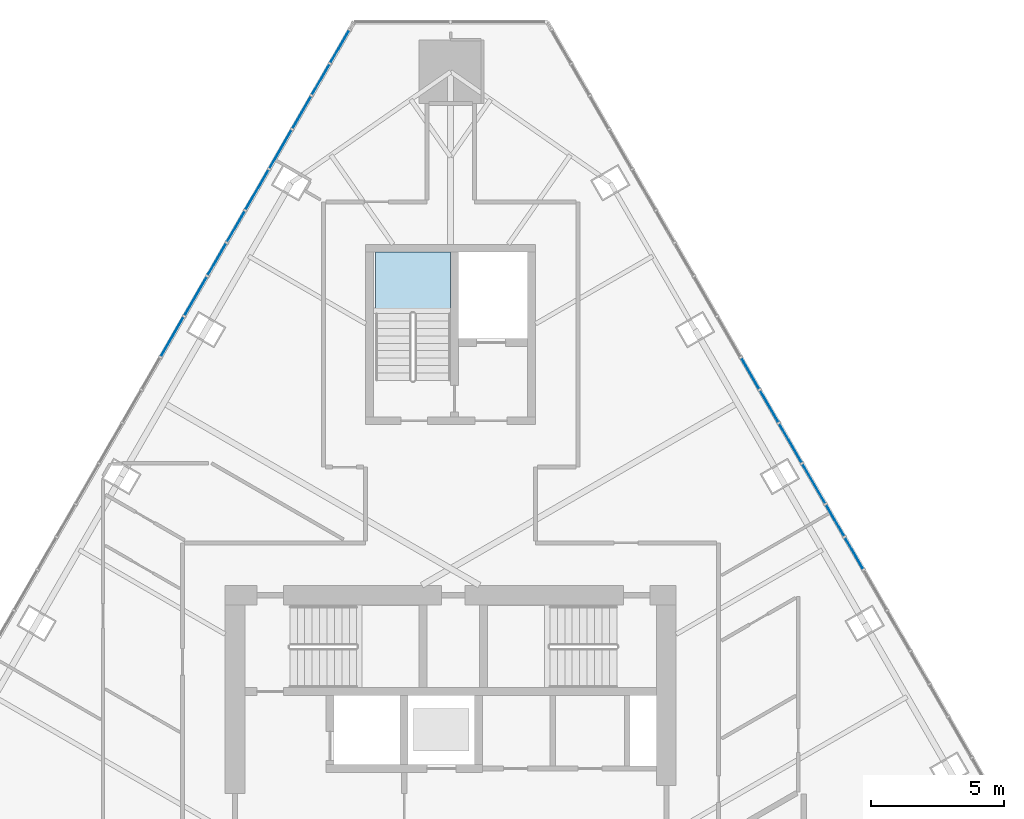
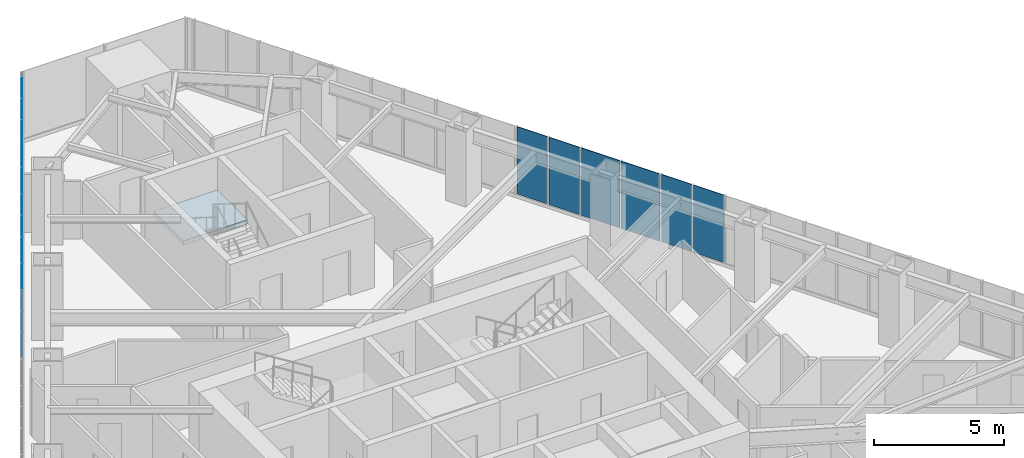
# One storey, part 14 of 21: 15 plates, 1 slab, 3 elements without a shape of their own.
"""IFC4 building model written with IfcOpenShell, lengths in metres."""

from ifc_helpers import new_model, si_unit, direction, frame, origin, place, context, subcontext, project, spatial, polyline, outline, extrude, material, layer, layer_set, type_object, element, aggregate, save


model = new_model("IFC4")

# Units and contexts
model_context = context("Model", 3, precision=1e-05, world=origin(), true_north=direction((0.0, 1.0)))
body_context = subcontext(model_context, "Body", "Model", "MODEL_VIEW")
ifc_project = project(units=[si_unit("LENGTHUNIT", "METRE"), si_unit("AREAUNIT", "SQUARE_METRE"), si_unit("VOLUMEUNIT", "CUBIC_METRE"), si_unit("PLANEANGLEUNIT", "RADIAN"), si_unit("MASSUNIT", "GRAM", prefix="KILO")], contexts=[model_context])

# Site, building, storey
site_placement = place(None, origin())
site = spatial("IfcSite", under=ifc_project, at=site_placement, CompositionType="ELEMENT")
building_placement = place(site_placement, origin())
building = spatial("IfcBuilding", under=site, at=building_placement, Name="Firuza Gate Tower and Library", CompositionType="ELEMENT")
storey_placement = place(building_placement, frame((0.0, 0.0, 284.60009765625)))
storey = spatial("IfcBuildingStorey", under=building, at=storey_placement, Name="L68", CompositionType="ELEMENT", Elevation=284.60009765625)

# Curtain wall, plates
ifc_material_1 = material(Name="Aluminium 6063-T6", Category="aluminium")
ifc_layer_1 = layer(ifc_material_1, 0.14990234375)
ifc_layer_set_1 = layer_set([ifc_layer_1], Name="Unitised curtain wall, residences")
curtain_wall_type = type_object("IfcCurtainWallType", Name="Unitised curtain wall, residences", PredefinedType="NOTDEFINED", material=ifc_layer_set_1)
placement = place(storey_placement, origin())
curtain_wall_1 = element("IfcCurtainWall", 1, at=placement, inside=storey, type_object=curtain_wall_type, Name="CW3 L68 E face", PredefinedType="NOTDEFINED")
ifc_material_2 = material(Name="Fritted glass", Category="glass")
ifc_layer_2 = layer(ifc_material_2, 0.030029296875)
ifc_layer_set_2 = layer_set([ifc_layer_2], Name="Fritted glass unit, residences")
plate_type_1 = type_object("IfcPlateType", Name="Fritted glass unit, residences", PredefinedType="CURTAIN_PANEL", material=ifc_layer_set_2)
plate_1_placement = place(storey_placement, frame((89.125, 84.8505859375, 0.14990234375), z_axis=(0.866051074803, 0.499955533855, 0.0), x_axis=(-0.499955533855, 0.866051074803, 0.0)))
plate_1 = element("IfcPlate", 2, at=plate_1_placement, type_object=plate_type_1, Name="Glass unit", PredefinedType="CURTAIN_PANEL", context=body_context, shape_type="SweptSolid", body=[
    extrude(outline(polyline([(0.0, 0.0), (1.692533333364206, 0.0), (1.692533333364206, 3.14990234375), (0.0, 3.14990234375), (0.0, 0.0)])), origin(), (0.0, 0.0, -1.0), 0.030029296875),
])
plate_2_placement = place(storey_placement, frame((88.23876953125, 86.3857421875, 0.14990234375), z_axis=(0.866025882247, 0.499999171277, 0.0), x_axis=(-0.499999171277, 0.866025882247, 0.0)))
plate_2 = element("IfcPlate", 3, at=plate_2_placement, type_object=plate_type_1, Name="Glass unit", PredefinedType="CURTAIN_PANEL", context=body_context, shape_type="SweptSolid", body=[
    extrude(outline(polyline([(0.0, 0.0), (1.6801785660542983, 0.0), (1.6801785660542983, 3.14990234375), (0.0, 3.14990234375), (0.0, 0.0)])), origin(), (0.0, 0.0, -1.0), 0.030029296875),
])

curtain_wall_2 = element("IfcCurtainWall", 4, at=placement, inside=storey, type_object=curtain_wall_type, Name="CW3 L68 W face", PredefinedType="NOTDEFINED")
plate_3_placement = place(storey_placement, frame((71.158203125, 102.66162109375, 0.14990234375), z_axis=(-0.865999496279, 0.500044870432, 0.0), x_axis=(-0.500044870432, -0.865999496279, 0.0)))
plate_3 = element("IfcPlate", 5, at=plate_3_placement, type_object=plate_type_1, Name="Glass unit", PredefinedType="CURTAIN_PANEL", context=body_context, shape_type="SweptSolid", body=[
    extrude(outline(polyline([(0.0, 0.0), (1.398312014272141, 0.0), (1.398312014272141, 3.14990234375), (0.0, 3.14990234375), (0.0, 0.0)])), origin(), (0.0, 0.0, -1.0), 0.030029296875),
])
plate_4_placement = place(storey_placement, frame((68.990478515625, 98.907470703125, 0.14990234375), z_axis=(-0.866075087206, 0.499913935915, 0.0), x_axis=(-0.499913935915, -0.866075087206, 0.0)))
plate_4 = element("IfcPlate", 6, at=plate_4_placement, type_object=plate_type_1, Name="Glass unit", PredefinedType="CURTAIN_PANEL", context=body_context, shape_type="SweptSolid", body=[
    extrude(outline(polyline([(0.0, 0.0), (1.6555584057396513, 0.0), (1.6555584057396513, 3.14990234375), (0.0, 3.14990234375), (0.0, 0.0)])), origin(), (0.0, 0.0, -1.0), 0.030029296875),
])
plate_5_placement = place(storey_placement, frame((68.122802734375, 97.404541015625, 0.14990234375), z_axis=(-0.866038813064, 0.499976773727, 0.0), x_axis=(-0.499976773727, -0.866038813064, 0.0)))
plate_5 = element("IfcPlate", 7, at=plate_5_placement, type_object=plate_type_1, Name="Glass unit", PredefinedType="CURTAIN_PANEL", context=body_context, shape_type="SweptSolid", body=[
    extrude(outline(polyline([(0.0, 0.0), (1.7173649322227993, 0.0), (1.7173649322227993, 3.14990234375), (0.0, 3.14990234375), (0.0, 0.0)])), origin(), (0.0, 0.0, -1.0), 0.030029296875),
])
plate_6_placement = place(storey_placement, frame((65.7958984375, 93.3740234375, 0.14990234375), z_axis=(-0.866000314205, 0.500043453909, 0.0), x_axis=(-0.500043453909, -0.866000314205, 0.0)))
plate_6 = element("IfcPlate", 8, at=plate_6_placement, type_object=plate_type_1, Name="Glass unit", PredefinedType="CURTAIN_PANEL", context=body_context, shape_type="SweptSolid", body=[
    extrude(outline(polyline([(0.0, 0.0), (1.6678238030733779, 0.0), (1.6678238030733779, 3.14990234375), (0.0, 3.14990234375), (0.0, 0.0)])), origin(), (0.0, 0.0, -1.0), 0.030029296875),
])
plate_7_placement = place(storey_placement, frame((64.922119140625, 91.8603515625, 0.14990234375), z_axis=(-0.865978090465, 0.50008194012, 0.0), x_axis=(-0.50008194012, -0.865978090465, 0.0)))
plate_7 = element("IfcPlate", 9, at=plate_7_placement, type_object=plate_type_1, Name="Glass unit", PredefinedType="CURTAIN_PANEL", context=body_context, shape_type="SweptSolid", body=[
    extrude(outline(polyline([(0.0, 0.0), (1.7047987421734188, 0.0), (1.7047987421734188, 3.14990234375), (0.0, 3.14990234375), (0.0, 0.0)])), origin(), (0.0, 0.0, -1.0), 0.030029296875),
])

# Plate
ifc_material_3 = material(Name="Glazed ceramic tile")
ifc_layer_3 = layer(ifc_material_3, 0.030029296875)
ifc_layer_set_3 = layer_set([ifc_layer_3], Name="Opaque ceramic panel, residences")
plate_type_2 = type_object("IfcPlateType", Name="Opaque ceramic panel, residences", PredefinedType="CURTAIN_PANEL", material=ifc_layer_set_3)
plate_8_placement = place(storey_placement, frame((90.553466796875, 82.376708984375, 0.14990234375), z_axis=(0.866061965123, 0.499936668556, 0.0), x_axis=(-0.499936668556, 0.866061965123, 0.0)))
plate_8 = element("IfcPlate", 10, at=plate_8_placement, type_object=plate_type_2, Name="Opaque ceramic panel", PredefinedType="CURTAIN_PANEL", context=body_context, shape_type="SweptSolid", body=[
    extrude(outline(polyline([(0.0, 0.0), (1.348315312760638, 0.0), (1.348315312760638, 3.14990234375), (0.0, 3.14990234375), (0.0, 0.0)])), origin(), (0.0, 0.0, -1.0), 0.030029296875),
])

plate_9_placement = place(storey_placement, frame((89.83935546875, 83.61376953125, 0.14990234375), z_axis=(0.865938274818, 0.50015088144, 0.0), x_axis=(-0.50015088144, 0.865938274818, 0.0)))
plate_9 = element("IfcPlate", 11, at=plate_9_placement, type_object=plate_type_2, Name="Opaque ceramic panel", PredefinedType="CURTAIN_PANEL", context=body_context, shape_type="SweptSolid", body=[
    extrude(outline(polyline([(0.0, 0.0), (1.3482259679484871, 0.0), (1.3482259679484871, 3.14990234375), (0.0, 3.14990234375), (0.0, 0.0)])), origin(), (0.0, 0.0, -1.0), 0.030029296875),
])

plate_10_placement = place(storey_placement, frame((87.35888671875, 87.909912109375, 0.14990234375), z_axis=(0.866015284814, 0.500017526161, 0.0), x_axis=(-0.500017526161, 0.866015284814, 0.0)))
plate_10 = element("IfcPlate", 12, at=plate_10_placement, type_object=plate_type_2, Name="Opaque ceramic panel", PredefinedType="CURTAIN_PANEL", context=body_context, shape_type="SweptSolid", body=[
    extrude(outline(polyline([(0.0, 0.0), (1.3607921448263887, 0.0), (1.3607921448263887, 3.1499023437499996), (0.0, 3.1499023437499996), (0.0, 0.0)])), origin(), (0.0, 0.0, -1.0), 0.030029296875),
])

plate_11_placement = place(storey_placement, frame((86.638427734375, 89.15771484375, 0.14990234375), z_axis=(0.866030383119, 0.499991375441, 0.0), x_axis=(-0.499991375441, 0.866030383119, 0.0)))
plate_11 = element("IfcPlate", 13, at=plate_11_placement, type_object=plate_type_2, Name="Opaque ceramic panel", PredefinedType="CURTAIN_PANEL", context=body_context, shape_type="SweptSolid", body=[
    extrude(outline(polyline([(0.0, 0.0), (1.3359605441420428, 0.0), (1.3359605441420428, 3.14990234375), (0.0, 3.14990234375), (0.0, 0.0)])), origin(), (0.0, 0.0, -1.0), 0.030029296875),
])

aggregate(curtain_wall_1, [plate_8, plate_9, plate_1, plate_2, plate_10, plate_11])

plate_12_placement = place(storey_placement, frame((70.4189453125, 101.38134765625, 0.14990234375), z_axis=(-0.865965422833, 0.500103875667, 0.0), x_axis=(-0.500103875667, -0.865965422833, 0.0)))
plate_12 = element("IfcPlate", 14, at=plate_12_placement, type_object=plate_type_2, Name="Opaque ceramic panel", PredefinedType="CURTAIN_PANEL", context=body_context, shape_type="SweptSolid", body=[
    extrude(outline(polyline([(0.0, 0.0), (1.3112510233494172, 0.0), (1.3112510233494172, 3.14990234375), (0.0, 3.14990234375), (0.0, 0.0)])), origin(), (0.0, 0.0, -1.0), 0.030029296875),
])

plate_13_placement = place(storey_placement, frame((69.723388671875, 100.176513671875, 0.14990234375), z_axis=(-0.866000726912, 0.500042739161, 0.0), x_axis=(-0.500042739161, -0.866000726912, 0.0)))
plate_13 = element("IfcPlate", 15, at=plate_13_placement, type_object=plate_type_2, Name="Opaque ceramic panel", PredefinedType="CURTAIN_PANEL", context=body_context, shape_type="SweptSolid", body=[
    extrude(outline(polyline([(0.0, 0.0), (1.3856237467070587, 0.0), (1.3856237467070587, 3.14990234375), (0.0, 3.14990234375), (0.0, 0.0)])), origin(), (0.0, 0.0, -1.0), 0.030029296875),
])

plate_14_placement = place(storey_placement, frame((67.22412109375, 95.847900390625, 0.14990234375), z_axis=(-0.866078079006, 0.499908752739, 0.0), x_axis=(-0.499908752739, -0.866078079006, 0.0)))
plate_14 = element("IfcPlate", 16, at=plate_14_placement, type_object=plate_type_2, Name="Opaque ceramic panel", PredefinedType="CURTAIN_PANEL", context=body_context, shape_type="SweptSolid", body=[
    extrude(outline(polyline([(0.0, 0.0), (1.3234837160294044, 0.0), (1.3234837160294044, 3.14990234375), (0.0, 3.14990234375), (0.0, 0.0)])), origin(), (0.0, 0.0, -1.0), 0.030029296875),
])

plate_15_placement = place(storey_placement, frame((66.5224609375, 94.63232421875, 0.14990234375), z_axis=(-0.866001980287, 0.500040568494, 0.0), x_axis=(-0.500040568494, -0.866001980287, 0.0)))
plate_15 = element("IfcPlate", 17, at=plate_15_placement, type_object=plate_type_2, Name="Opaque ceramic panel", PredefinedType="CURTAIN_PANEL", context=body_context, shape_type="SweptSolid", body=[
    extrude(outline(polyline([(0.0, 0.0), (1.372935479150524, 0.0), (1.372935479150524, 3.14990234375), (0.0, 3.14990234375), (0.0, 0.0)])), origin(), (0.0, 0.0, -1.0), 0.030029296875),
])

aggregate(curtain_wall_2, [plate_3, plate_12, plate_13, plate_4, plate_5, plate_14, plate_15, plate_6, plate_7])

# Stair, slab
ifc_material_4 = material(Name="Concrete C35/45", Category="concrete")
stair_type = type_object("IfcStairType", Name="Exit stair ST17", PredefinedType="HALF_TURN_STAIR", material=ifc_material_4)
stair = element("IfcStair", 18, at=placement, inside=storey, type_object=stair_type, Name="L68 Stair ST3", PredefinedType="HALF_TURN_STAIR")
ifc_material_5 = material(Name="Concrete C35/45", Category="concrete")
ifc_layer_4 = layer(ifc_material_5, 0.199951171875)
ifc_layer_set_4 = layer_set([ifc_layer_4], Name="Stair landing 200")
slab_type = type_object("IfcSlabType", Name="Stair landing 200", PredefinedType="LANDING", material=ifc_layer_set_4)
slab_placement = place(storey_placement, frame((0.0, 0.0, 1.5498046875)))
slab = element("IfcSlab", 19, at=slab_placement, type_object=slab_type, Name="ST3 landing 1", PredefinedType="LANDING", context=body_context, shape_type="SweptSolid", body=[
    extrude(outline(polyline([(75.0, 91.989990234375), (75.0, 94.300048828125), (72.159912109375, 94.300048828125), (72.159912109375, 91.989990234375), (75.0, 91.989990234375)])), origin(), (0.0, 0.0, 1.0), 0.2001953125),
])
aggregate(stair, [slab])

save(model, "model.ifc")
